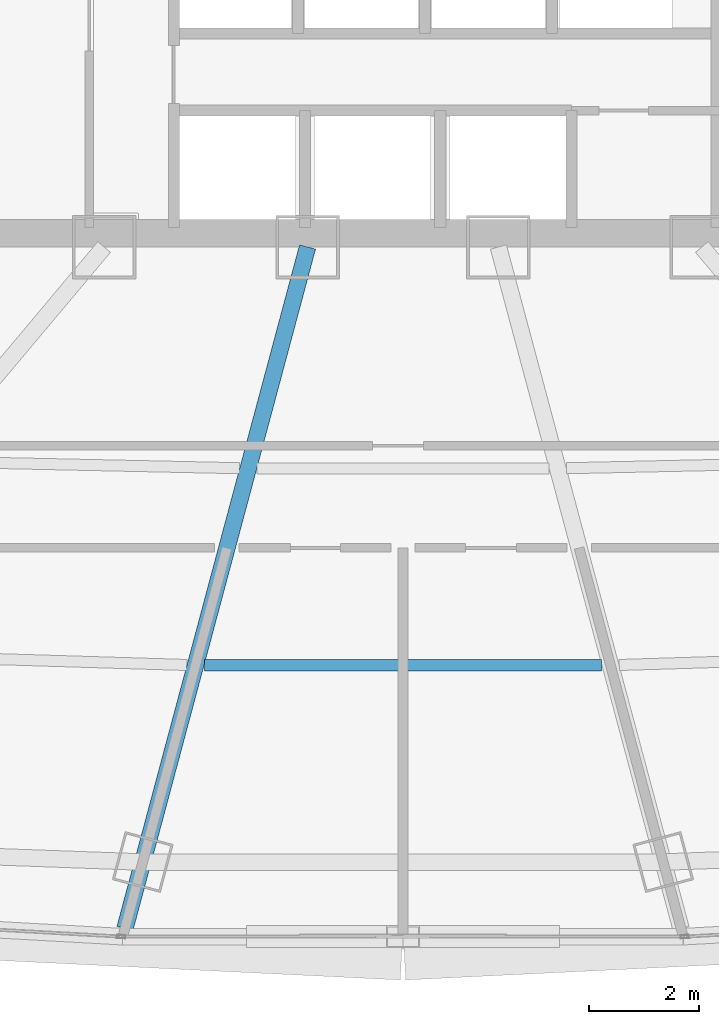
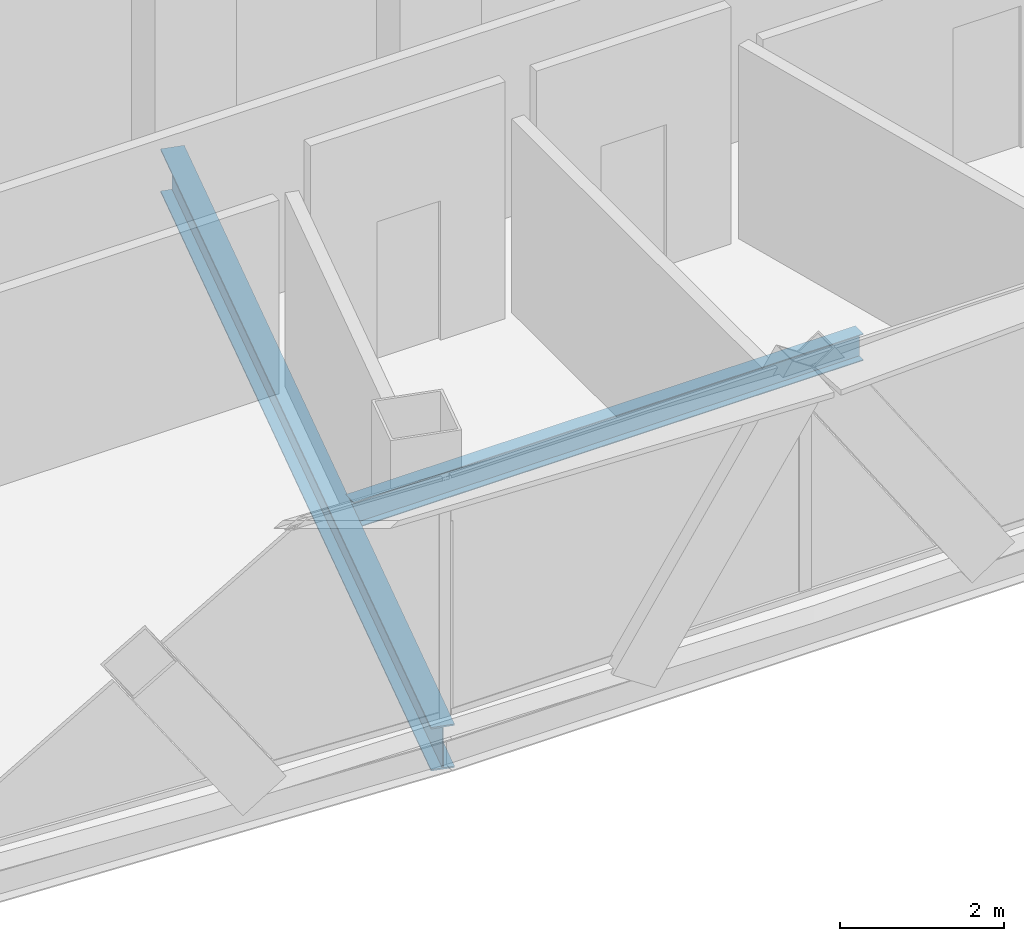
# One storey, part 11 of 36: 2 beams.
"""IFC4 building model written with IfcOpenShell, lengths in metres."""

from ifc_helpers import new_model, si_unit, direction, frame, origin, origin_2d, place, context, subcontext, project, spatial, i_section, extrude, source, transform, mapped, material, material_profile, profile_set, type_object, element, save


model = new_model("IFC4")

# Units and contexts
model_context = context("Model", 3, precision=1e-05, world=origin(), true_north=direction((0.0, 1.0)))
body_context = subcontext(model_context, "Body", "Model", "MODEL_VIEW")
ifc_project = project(units=[si_unit("LENGTHUNIT", "METRE"), si_unit("AREAUNIT", "SQUARE_METRE"), si_unit("VOLUMEUNIT", "CUBIC_METRE"), si_unit("PLANEANGLEUNIT", "RADIAN"), si_unit("MASSUNIT", "GRAM", prefix="KILO"), si_unit("THERMODYNAMICTEMPERATUREUNIT", "KELVIN"), si_unit("POWERUNIT", "WATT")], contexts=[model_context])

# Site, building, storey
site_placement = place(None, origin())
site = spatial("IfcSite", under=ifc_project, at=site_placement, CompositionType="ELEMENT")
building_placement = place(site_placement, origin())
building = spatial("IfcBuilding", under=site, at=building_placement, Name="Yunzhuo Pagoda Commons", CompositionType="ELEMENT")
storey_placement = place(building_placement, frame((0.0, 0.0, 211.360107421875)))
storey = spatial("IfcBuildingStorey", under=building, at=storey_placement, Name="L53", CompositionType="ELEMENT", Elevation=211.360107421875)

# Beams
ifc_material = material(Name="Structural steel Q355B", Category="steel")
ifc_material_profile_1 = material_profile(ifc_material, i_section(OverallWidth=0.199951171875, OverallDepth=0.39990234375, WebThickness=0.008056640625, FlangeThickness=0.012939453125, at=origin_2d()), Name="Structural steel Q355B")
ifc_profile_set_1 = profile_set([ifc_material_profile_1], Name="Structural steel Q355B")
beam_type_1 = type_object("IfcBeamType", Name="B-JS1 Joist HN 400x200x8x13", PredefinedType="JOIST", material=ifc_profile_set_1)
shared_shape_1 = source(origin(), body_context, "Body", "SweptSolid", [
    extrude(i_section(OverallWidth=0.199951171875, OverallDepth=0.39990234375, WebThickness=0.008056640625, FlangeThickness=0.012939453125, at=origin_2d()), origin(), (0.0, 0.0, 1.0), 7.197265625),
])
beam_1_placement = place(storey_placement, frame((44.4013671875, 19.676513671875, -0.460205078125), z_axis=(1.0, 0.0, 0.0), x_axis=(0.0, 1.0, 0.0)))
element("IfcBeam", 1, at=beam_1_placement, inside=storey, type_object=beam_type_1, Name="L53 composite ring joist 2.2", PredefinedType="JOIST", context=body_context, shape_type="MappedRepresentation", body=[
    mapped(shared_shape_1, transform((0.0, 0.0, 0.0), scale=1.0)),
])
ifc_material_profile_2 = material_profile(ifc_material, i_section(OverallWidth=0.300048828125, OverallDepth=0.64990234375, WebThickness=0.012939453125, FlangeThickness=0.02197265625, at=origin_2d()), Name="Structural steel Q355B")
ifc_profile_set_2 = profile_set([ifc_material_profile_2], Name="Structural steel Q355B")
beam_type_2 = type_object("IfcBeamType", Name="B-RG2 Beam HN 650x300x13x22", PredefinedType="BEAM", material=ifc_profile_set_2)
shared_shape_2 = source(origin(), body_context, "Body", "SweptSolid", [
    extrude(i_section(OverallWidth=0.300048828125, OverallDepth=0.64990234375, WebThickness=0.012939453125, FlangeThickness=0.02197265625, at=origin_2d()), origin(), (0.0, 0.0, 1.0), 12.775146484375),
])
beam_2_placement = place(storey_placement, frame((42.96533203125, 14.91015625, -0.585205078125), z_axis=(0.25883288175, 0.965922118664, 0.0), x_axis=(-0.965922118664, 0.25883288175, 0.0)))
element("IfcBeam", 2, at=beam_2_placement, inside=storey, type_object=beam_type_2, Name="L53 radial floor girder F1C2", PredefinedType="BEAM", context=body_context, shape_type="MappedRepresentation", body=[
    mapped(shared_shape_2, transform((0.0, 0.0, 0.0), scale=1.0)),
])

save(model, "model.ifc")
